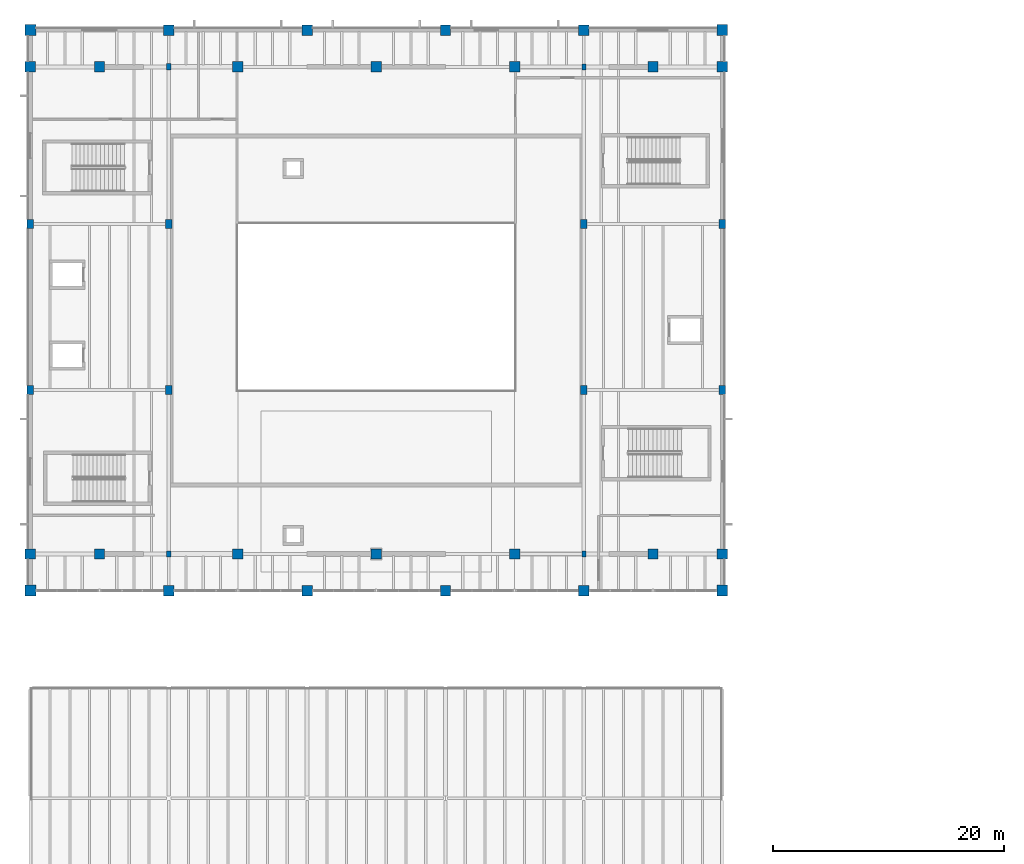
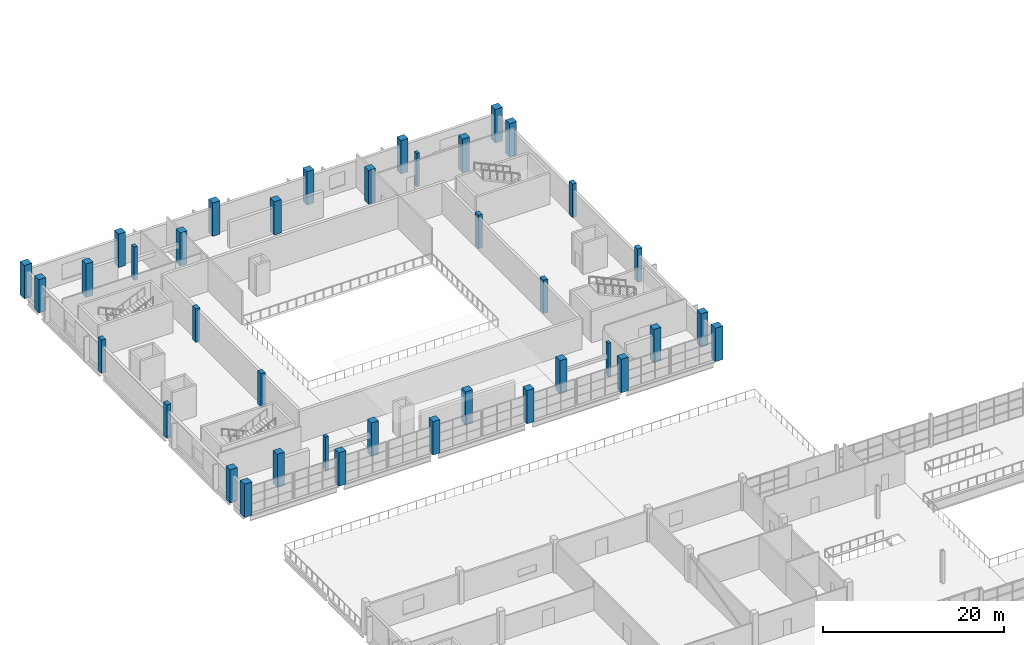
# One storey, part 5 of 78: 38 columns.
"""IFC4 building model written with IfcOpenShell, lengths in metres."""

from ifc_helpers import new_model, si_unit, direction, frame, origin, origin_2d, place, context, subcontext, project, spatial, rectangle, extrude, material, material_profile, profile_set, type_object, element, save


model = new_model("IFC4")

# Units and contexts
model_context = context("Model", 3, precision=1e-05, world=origin(), true_north=direction((0.0, 1.0)))
body_context = subcontext(model_context, "Body", "Model", "MODEL_VIEW")
ifc_project = project(units=[si_unit("LENGTHUNIT", "METRE"), si_unit("AREAUNIT", "SQUARE_METRE"), si_unit("VOLUMEUNIT", "CUBIC_METRE"), si_unit("PLANEANGLEUNIT", "RADIAN"), si_unit("MASSUNIT", "GRAM", prefix="KILO")], contexts=[model_context])

# Site, building, storey
site_placement = place(None, origin())
site = spatial("IfcSite", under=ifc_project, at=site_placement, CompositionType="ELEMENT")
building_placement = place(site_placement, origin())
building = spatial("IfcBuilding", under=site, at=building_placement, Name="Kelmvaro Bay Concert Hall", CompositionType="ELEMENT")
storey_placement = place(building_placement, frame((0.0, 0.0, 9.300048828125)))
storey = spatial("IfcBuildingStorey", under=building, at=storey_placement, Name="L02", CompositionType="ELEMENT", Elevation=9.300048828125)

# Columns
ifc_material_1 = material(Name="Concrete C40/50", Category="concrete")
ifc_material_profile_1 = material_profile(ifc_material_1, rectangle(XDim=0.39990234375, YDim=0.550048828125, at=origin_2d()), Name="RC-PIL-550X400")
ifc_profile_set_1 = profile_set([ifc_material_profile_1], Name="Concrete C40/50")
column_type_1 = type_object("IfcColumnType", Name="Foyer Acoustic Pilaster RC550x400", PredefinedType="PILASTER", material=ifc_profile_set_1)
for number, where, z_axis, x_axis, name in (
    (1, (12.0, 68.580078125, 0.0), (0.0, 0.0, 1.0), (1.0, 0.0, 0.0), "L02 Pilaster PIL-IB-12-6858"),
    (2, (12.0, 110.820068359375, 0.0), (0.0, 0.0, 1.0), (1.0, 0.0, 0.0), "L02 Pilaster PIL-IB-12-11082"),
):
    element("IfcColumn", number, at=place(storey_placement, frame(where, z_axis=z_axis, x_axis=x_axis)), inside=storey, type_object=column_type_1, Name=name, PredefinedType="PILASTER", context=body_context, shape_type="SweptSolid", body=[
        extrude(rectangle(XDim=0.39990234375, YDim=0.550048828125, at=origin_2d()), origin(), (0.0, 0.0, 1.0), 4.5),
    ])
ifc_material_2 = material(Name="Concrete C40/50", Category="concrete")
ifc_material_profile_2 = material_profile(ifc_material_2, rectangle(XDim=0.550048828125, YDim=0.75, at=origin_2d()), Name="RC-COL-750X550")
ifc_profile_set_2 = profile_set([ifc_material_profile_2], Name="Concrete C40/50")
column_type_2 = type_object("IfcColumnType", Name="Gallery Pier Column RC750x550", PredefinedType="COLUMN", material=ifc_profile_set_2)
for number, where, z_axis, x_axis, name in (
    (3, (0.0, 82.800048828125, 0.0), (0.0, 0.0, 1.0), (1.0, 0.0, 0.0), "L02 Column V1G-0-828"),
    (4, (0.0, 97.199951171875, 0.0), (0.0, 0.0, 1.0), (1.0, 0.0, 0.0), "L02 Column V1G-0-972"),
    (5, (12.0, 82.800048828125, 0.0), (0.0, 0.0, 1.0), (1.0, 0.0, 0.0), "L02 Column V1G-12-828"),
    (6, (12.0, 97.199951171875, 0.0), (0.0, 0.0, 1.0), (1.0, 0.0, 0.0), "L02 Column V1G-12-972"),
    (7, (48.0, 82.800048828125, 0.0), (0.0, 0.0, 1.0), (1.0, 0.0, 0.0), "L02 Column V1G-48-828"),
    (8, (48.0, 97.199951171875, 0.0), (0.0, 0.0, 1.0), (1.0, 0.0, 0.0), "L02 Column V1G-48-972"),
    (9, (60.0, 82.800048828125, 0.0), (0.0, 0.0, 1.0), (1.0, 0.0, 0.0), "L02 Column V1G-60-828"),
    (10, (60.0, 97.199951171875, 0.0), (0.0, 0.0, 1.0), (1.0, 0.0, 0.0), "L02 Column V1G-60-972"),
):
    element("IfcColumn", number, at=place(storey_placement, frame(where, z_axis=z_axis, x_axis=x_axis)), inside=storey, type_object=column_type_2, Name=name, PredefinedType="COLUMN", context=body_context, shape_type="SweptSolid", body=[
        extrude(rectangle(XDim=0.550048828125, YDim=0.75, at=origin_2d()), origin(), (0.0, 0.0, 1.0), 4.5),
    ])
ifc_material_3 = material(Name="Concrete C40/50", Category="concrete")
ifc_material_profile_3 = material_profile(ifc_material_3, rectangle(XDim=0.89990234375, YDim=0.89990234375, at=origin_2d()), Name="RC-COL-900X900")
ifc_profile_set_3 = profile_set([ifc_material_profile_3], Name="Concrete C40/50")
column_type_3 = type_object("IfcColumnType", Name="Hall Pier Column RC900x900", PredefinedType="COLUMN", material=ifc_profile_set_3)
for number, where, z_axis, x_axis, name in (
    (11, (12.0, 65.39990234375, 0.0), (0.0, 0.0, 1.0), (1.0, 0.0, 0.0), "L02 Column V1P-12-654"),
    (12, (12.0, 114.0, 0.0), (0.0, 0.0, 1.0), (1.0, 0.0, 0.0), "L02 Column V1P-12-1140"),
    (13, (24.0, 65.39990234375, 0.0), (0.0, 0.0, 1.0), (1.0, 0.0, 0.0), "L02 Column V1P-24-654"),
    (14, (24.0, 114.0, 0.0), (0.0, 0.0, 1.0), (1.0, 0.0, 0.0), "L02 Column V1P-24-1140"),
    (15, (36.0, 65.39990234375, 0.0), (0.0, 0.0, 1.0), (1.0, 0.0, 0.0), "L02 Column V1P-36-654"),
    (16, (36.0, 114.0, 0.0), (0.0, 0.0, 1.0), (1.0, 0.0, 0.0), "L02 Column V1P-36-1140"),
    (17, (48.0, 65.39990234375, 0.0), (0.0, 0.0, 1.0), (1.0, 0.0, 0.0), "L02 Column V1P-48-654"),
    (18, (48.0, 114.0, 0.0), (0.0, 0.0, 1.0), (1.0, 0.0, 0.0), "L02 Column V1P-48-1140"),
    (19, (0.0, 68.580078125, 0.0), (0.0, 0.0, 1.0), (1.0, 0.0, 0.0), "L02 Column V1S-0-6858"),
    (20, (0.0, 110.820068359375, 0.0), (0.0, 0.0, 1.0), (1.0, 0.0, 0.0), "L02 Column V1S-0-11082"),
    (21, (6.0, 68.580078125, 0.0), (0.0, 0.0, 1.0), (1.0, 0.0, 0.0), "L02 Column V1S-6-6858"),
    (22, (6.0, 110.820068359375, 0.0), (0.0, 0.0, 1.0), (1.0, 0.0, 0.0), "L02 Column V1S-6-11082"),
    (23, (18.0, 68.580078125, 0.0), (0.0, 0.0, 1.0), (1.0, 0.0, 0.0), "L02 Column V1S-18-6858"),
    (24, (18.0, 110.820068359375, 0.0), (0.0, 0.0, 1.0), (1.0, 0.0, 0.0), "L02 Column V1S-18-11082"),
    (25, (30.0, 68.580078125, 0.0), (0.0, 0.0, 1.0), (1.0, 0.0, 0.0), "L02 Column V1S-30-6858"),
    (26, (30.0, 110.820068359375, 0.0), (0.0, 0.0, 1.0), (1.0, 0.0, 0.0), "L02 Column V1S-30-11082"),
    (27, (42.0, 68.580078125, 0.0), (0.0, 0.0, 1.0), (1.0, 0.0, 0.0), "L02 Column V1S-42-6858"),
    (28, (42.0, 110.820068359375, 0.0), (0.0, 0.0, 1.0), (1.0, 0.0, 0.0), "L02 Column V1S-42-11082"),
    (29, (54.0, 68.580078125, 0.0), (0.0, 0.0, 1.0), (1.0, 0.0, 0.0), "L02 Column V1S-54-6858"),
    (30, (54.0, 110.820068359375, 0.0), (0.0, 0.0, 1.0), (1.0, 0.0, 0.0), "L02 Column V1S-54-11082"),
    (31, (60.0, 68.580078125, 0.0), (0.0, 0.0, 1.0), (1.0, 0.0, 0.0), "L02 Column V1S-60-6858"),
    (32, (60.0, 110.820068359375, 0.0), (0.0, 0.0, 1.0), (1.0, 0.0, 0.0), "L02 Column V1S-60-11082"),
):
    element("IfcColumn", number, at=place(storey_placement, frame(where, z_axis=z_axis, x_axis=x_axis)), inside=storey, type_object=column_type_3, Name=name, PredefinedType="COLUMN", context=body_context, shape_type="SweptSolid", body=[
        extrude(rectangle(XDim=0.89990234375, YDim=0.89990234375, at=origin_2d()), origin(), (0.0, 0.0, 1.0), 4.5),
    ])
ifc_material_4 = material(Name="Concrete C40/50", Category="concrete")
ifc_material_profile_4 = material_profile(ifc_material_4, rectangle(XDim=0.949951171875, YDim=0.949951171875, at=origin_2d()), Name="RC-COL-950X950")
ifc_profile_set_4 = profile_set([ifc_material_profile_4], Name="Concrete C40/50")
column_type_4 = type_object("IfcColumnType", Name="Shell Corner Pier Column RC950x950", PredefinedType="COLUMN", material=ifc_profile_set_4)
for number, where, z_axis, x_axis, name in (
    (33, (0.0, 65.39990234375, 0.0), (0.0, 0.0, 1.0), (1.0, 0.0, 0.0), "L02 Column V1P-0-654"),
    (34, (0.0, 114.0, 0.0), (0.0, 0.0, 1.0), (1.0, 0.0, 0.0), "L02 Column V1P-0-1140"),
    (35, (60.0, 65.39990234375, 0.0), (0.0, 0.0, 1.0), (1.0, 0.0, 0.0), "L02 Column V1P-60-654"),
    (36, (60.0, 114.0, 0.0), (0.0, 0.0, 1.0), (1.0, 0.0, 0.0), "L02 Column V1P-60-1140"),
):
    element("IfcColumn", number, at=place(storey_placement, frame(where, z_axis=z_axis, x_axis=x_axis)), inside=storey, type_object=column_type_4, Name=name, PredefinedType="COLUMN", context=body_context, shape_type="SweptSolid", body=[
        extrude(rectangle(XDim=0.949951171875, YDim=0.949951171875, at=origin_2d()), origin(), (0.0, 0.0, 1.0), 4.5),
    ])
ifc_material_5 = material(Name="Concrete C40/50", Category="concrete")
ifc_material_profile_5 = material_profile(ifc_material_5, rectangle(XDim=0.35009765625, YDim=0.5, at=origin_2d()), Name="RC-PIL-500X350")
ifc_profile_set_5 = profile_set([ifc_material_profile_5], Name="Concrete C40/50")
column_type_5 = type_object("IfcColumnType", Name="Stage Wall Pilaster RC500x350", PredefinedType="PILASTER", material=ifc_profile_set_5)
for number, where, z_axis, x_axis, name in (
    (37, (48.0, 68.580078125, 0.0), (0.0, 0.0, 1.0), (1.0, 0.0, 0.0), "L02 Pilaster PIL-IB-48-6858"),
    (38, (48.0, 110.820068359375, 0.0), (0.0, 0.0, 1.0), (1.0, 0.0, 0.0), "L02 Pilaster PIL-IB-48-11082"),
):
    element("IfcColumn", number, at=place(storey_placement, frame(where, z_axis=z_axis, x_axis=x_axis)), inside=storey, type_object=column_type_5, Name=name, PredefinedType="PILASTER", context=body_context, shape_type="SweptSolid", body=[
        extrude(rectangle(XDim=0.35009765625, YDim=0.5, at=origin_2d()), origin(), (0.0, 0.0, 1.0), 4.5),
    ])

save(model, "model.ifc")
